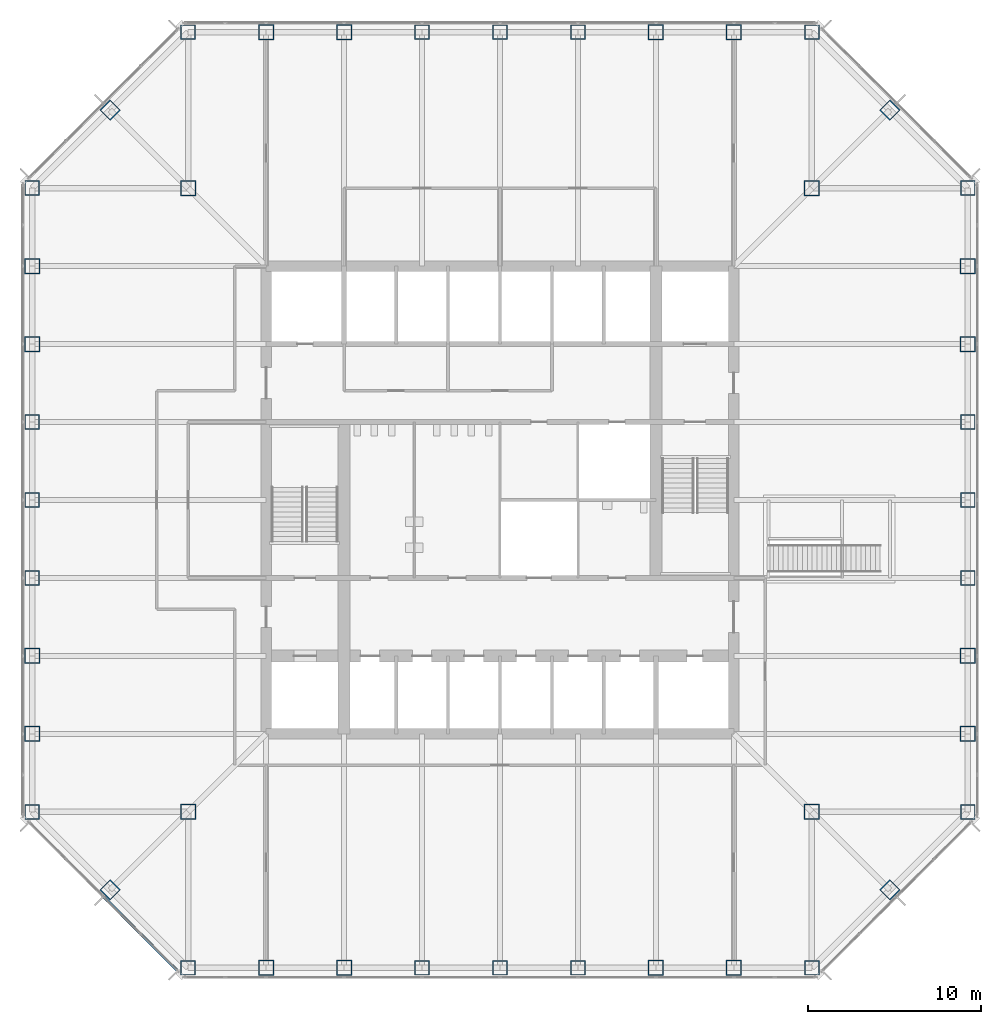
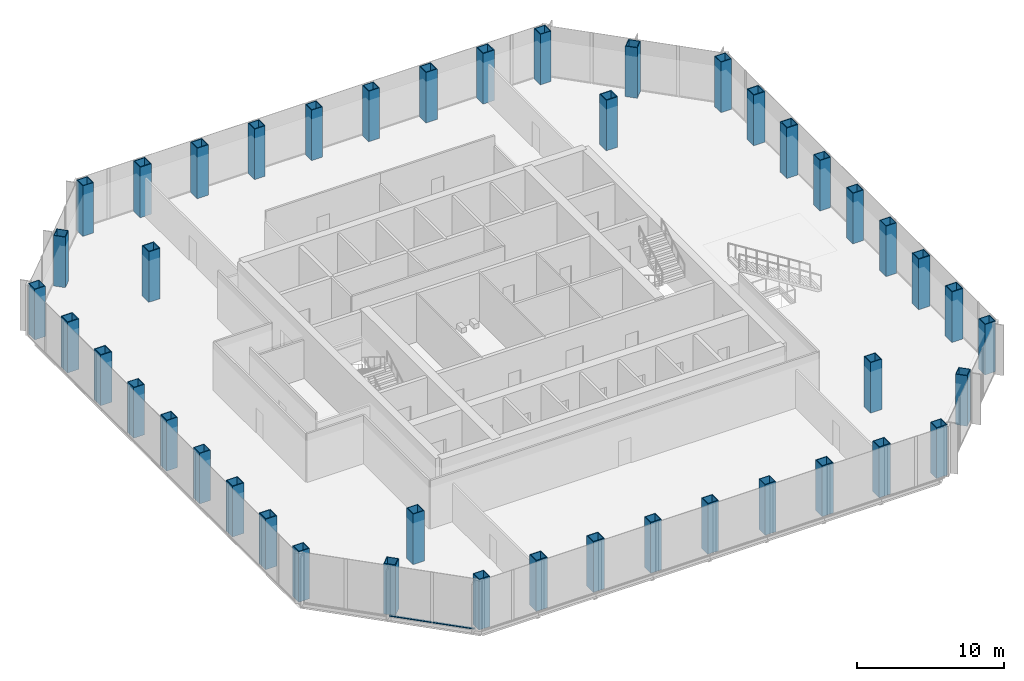
# One storey, part 1 of 12: 44 columns, 2 members, 1 element without a shape of its own.
"""IFC4 building model written with IfcOpenShell, lengths in metres."""

from ifc_helpers import new_model, si_unit, direction, frame, origin, origin_2d, place, context, subcontext, project, spatial, rectangle, hollow_rectangle, extrude, material, material_profile, profile_set, type_object, element, aggregate, save


model = new_model("IFC4")

# Units and contexts
model_context = context("Model", 3, precision=1e-05, world=origin(), true_north=direction((0.0, 1.0)))
body_context = subcontext(model_context, "Body", "Model", "MODEL_VIEW")
ifc_project = project(units=[si_unit("LENGTHUNIT", "METRE"), si_unit("AREAUNIT", "SQUARE_METRE"), si_unit("VOLUMEUNIT", "CUBIC_METRE"), si_unit("PLANEANGLEUNIT", "RADIAN"), si_unit("MASSUNIT", "GRAM", prefix="KILO")], contexts=[model_context])

# Site, building, storey
site_placement = place(None, origin())
site = spatial("IfcSite", under=ifc_project, at=site_placement, CompositionType="ELEMENT")
building_placement = place(site_placement, origin())
building = spatial("IfcBuilding", under=site, at=building_placement, Name="Corais Broadcast Tower", CompositionType="ELEMENT")
storey_placement = place(building_placement, frame((0.0, 0.0, 37.39990234375)))
storey = spatial("IfcBuildingStorey", under=building, at=storey_placement, Name="L07", CompositionType="ELEMENT", Elevation=37.39990234375)

# Columns
ifc_material_1 = material(Name="Steel ASTM A572 Grade 50", Category="steel")
ifc_material_profile_1 = material_profile(ifc_material_1, hollow_rectangle(XDim=0.85009765625, YDim=0.85009765625, WallThickness=0.050048828125, at=origin_2d()), Name="BOX 850x850x50")
ifc_profile_set_1 = profile_set([ifc_material_profile_1], Name="Steel ASTM A572 Grade 50")
column_type_1 = type_object("IfcColumnType", Name="Column BOX 850x850x50", PredefinedType="COLUMN", material=ifc_profile_set_1)
for number, where, z_axis, x_axis, name in (
    (1, (9.0, 0.0, 0.0), (0.0, 0.0, 1.0), (1.0, 0.0, 0.0), "C1 A/5"),
    (2, (22.5, 0.0, 0.0), (0.0, 0.0, 1.0), (1.0, 0.0, 0.0), "C1 A/8"),
    (3, (27.0, 0.0, 0.0), (0.0, 0.0, 1.0), (1.0, 0.0, 0.0), "C1 A/9"),
    (4, (31.5, 0.0, 0.0), (0.0, 0.0, 1.0), (1.0, 0.0, 0.0), "C1 A/10"),
    (5, (45.0, 0.0, 0.0), (0.0, 0.0, 1.0), (1.0, 0.0, 0.0), "C1 A/13"),
    (6, (54.0, 9.0, 0.0), (0.0, 0.0, 1.0), (1.0, 0.0, 0.0), "C1 C/15"),
    (7, (54.0, 22.5, 0.0), (0.0, 0.0, 1.0), (1.0, 0.0, 0.0), "C1 F/15"),
    (8, (54.0, 27.0, 0.0), (0.0, 0.0, 1.0), (1.0, 0.0, 0.0), "C1 G/15"),
    (9, (54.0, 31.5, 0.0), (0.0, 0.0, 1.0), (1.0, 0.0, 0.0), "C1 H/15"),
    (10, (54.0, 45.0, 0.0), (0.0, 0.0, 1.0), (1.0, 0.0, 0.0), "C1 L/15"),
    (11, (45.0, 54.0, 0.0), (0.0, 0.0, 1.0), (1.0, 0.0, 0.0), "C1 N/13"),
    (12, (31.5, 54.0, 0.0), (0.0, 0.0, 1.0), (1.0, 0.0, 0.0), "C1 N/10"),
    (13, (27.0, 54.0, 0.0), (0.0, 0.0, 1.0), (1.0, 0.0, 0.0), "C1 N/9"),
    (14, (22.5, 54.0, 0.0), (0.0, 0.0, 1.0), (1.0, 0.0, 0.0), "C1 N/8"),
    (15, (9.0, 54.0, 0.0), (0.0, 0.0, 1.0), (1.0, 0.0, 0.0), "C1 N/5"),
    (16, (0.0, 45.0, 0.0), (0.0, 0.0, 1.0), (1.0, 0.0, 0.0), "C1 L/3"),
    (17, (0.0, 31.5, 0.0), (0.0, 0.0, 1.0), (1.0, 0.0, 0.0), "C1 H/3"),
    (18, (0.0, 27.0, 0.0), (0.0, 0.0, 1.0), (1.0, 0.0, 0.0), "C1 G/3"),
    (19, (0.0, 22.5, 0.0), (0.0, 0.0, 1.0), (1.0, 0.0, 0.0), "C1 F/3"),
    (20, (0.0, 9.0, 0.0), (0.0, 0.0, 1.0), (1.0, 0.0, 0.0), "C1 C/3"),
    (21, (4.5, 4.5, 0.0), (0.0, 0.0, 1.0), (0.707106781187, 0.707106781187, 0.0), "C1 B/4"),
    (22, (49.5, 4.5, 0.0), (0.0, 0.0, 1.0), (0.707106781187, 0.707106781187, 0.0), "C1 B/14"),
    (23, (49.5, 49.5, 0.0), (0.0, 0.0, 1.0), (0.707106781187, 0.707106781187, 0.0), "C1 M/14"),
    (24, (4.5, 49.5, 0.0), (0.0, 0.0, 1.0), (0.707106781187, 0.707106781187, 0.0), "C1 M/4"),
):
    element("IfcColumn", number, at=place(storey_placement, frame(where, z_axis=z_axis, x_axis=x_axis)), inside=storey, type_object=column_type_1, Name=name, PredefinedType="COLUMN", context=body_context, shape_type="SweptSolid", body=[
        extrude(hollow_rectangle(XDim=0.85009765625, YDim=0.85009765625, WallThickness=0.050048828125, at=origin_2d()), origin(), (0.0, 0.0, 1.0), 4.2001953125),
    ])
ifc_material_2 = material(Name="Steel ASTM A572 Grade 50", Category="steel")
ifc_material_profile_2 = material_profile(ifc_material_2, hollow_rectangle(XDim=0.89990234375, YDim=0.89990234375, WallThickness=0.06298828125, at=origin_2d()), Name="BOX 900x900x63")
ifc_profile_set_2 = profile_set([ifc_material_profile_2], Name="Steel ASTM A572 Grade 50")
column_type_2 = type_object("IfcColumnType", Name="Column BOX 900x900x63", PredefinedType="COLUMN", material=ifc_profile_set_2)
for number, where, z_axis, x_axis, name in (
    (25, (13.5, 0.0, 0.0), (0.0, 0.0, 1.0), (1.0, 0.0, 0.0), "C2 A/6"),
    (26, (18.0, 0.0, 0.0), (0.0, 0.0, 1.0), (1.0, 0.0, 0.0), "C2 A/7"),
    (27, (36.0, 0.0, 0.0), (0.0, 0.0, 1.0), (1.0, 0.0, 0.0), "C2 A/11"),
    (28, (40.5, 0.0, 0.0), (0.0, 0.0, 1.0), (1.0, 0.0, 0.0), "C2 A/12"),
    (29, (54.0, 13.5, 0.0), (0.0, 0.0, 1.0), (1.0, 0.0, 0.0), "C2 D/15"),
    (30, (54.0, 18.0, 0.0), (0.0, 0.0, 1.0), (1.0, 0.0, 0.0), "C2 E/15"),
    (31, (54.0, 36.0, 0.0), (0.0, 0.0, 1.0), (1.0, 0.0, 0.0), "C2 J/15"),
    (32, (54.0, 40.5, 0.0), (0.0, 0.0, 1.0), (1.0, 0.0, 0.0), "C2 K/15"),
    (33, (40.5, 54.0, 0.0), (0.0, 0.0, 1.0), (1.0, 0.0, 0.0), "C2 N/12"),
    (34, (36.0, 54.0, 0.0), (0.0, 0.0, 1.0), (1.0, 0.0, 0.0), "C2 N/11"),
    (35, (18.0, 54.0, 0.0), (0.0, 0.0, 1.0), (1.0, 0.0, 0.0), "C2 N/7"),
    (36, (13.5, 54.0, 0.0), (0.0, 0.0, 1.0), (1.0, 0.0, 0.0), "C2 N/6"),
    (37, (0.0, 40.5, 0.0), (0.0, 0.0, 1.0), (1.0, 0.0, 0.0), "C2 K/3"),
    (38, (0.0, 36.0, 0.0), (0.0, 0.0, 1.0), (1.0, 0.0, 0.0), "C2 J/3"),
    (39, (0.0, 18.0, 0.0), (0.0, 0.0, 1.0), (1.0, 0.0, 0.0), "C2 E/3"),
    (40, (0.0, 13.5, 0.0), (0.0, 0.0, 1.0), (1.0, 0.0, 0.0), "C2 D/3"),
    (41, (9.0, 9.0, 0.0), (0.0, 0.0, 1.0), (1.0, 0.0, 0.0), "C2 C/5"),
    (42, (45.0, 9.0, 0.0), (0.0, 0.0, 1.0), (1.0, 0.0, 0.0), "C2 C/13"),
    (43, (45.0, 45.0, 0.0), (0.0, 0.0, 1.0), (1.0, 0.0, 0.0), "C2 L/13"),
    (44, (9.0, 45.0, 0.0), (0.0, 0.0, 1.0), (1.0, 0.0, 0.0), "C2 L/5"),
):
    element("IfcColumn", number, at=place(storey_placement, frame(where, z_axis=z_axis, x_axis=x_axis)), inside=storey, type_object=column_type_2, Name=name, PredefinedType="COLUMN", context=body_context, shape_type="SweptSolid", body=[
        extrude(hollow_rectangle(XDim=0.89990234375, YDim=0.89990234375, WallThickness=0.06298828125, at=origin_2d()), origin(), (0.0, 0.0, 1.0), 4.2001953125),
    ])

# Curtain wall, members
ifc_material_3 = material(Name="Aluminium and glass", Category="aluminium")
curtain_wall_type = type_object("IfcCurtainWallType", Name="Newsroom clear-glass curtain wall CW7", PredefinedType="NOTDEFINED", material=ifc_material_3)
curtain_wall_placement = place(storey_placement, origin())
curtain_wall = element("IfcCurtainWall", 45, at=curtain_wall_placement, inside=storey, type_object=curtain_wall_type, Name="CW7 curtain wall L07 1", PredefinedType="NOTDEFINED")
ifc_material_4 = material(Name="Aluminium 6063-T6", Category="aluminium")
ifc_material_profile_3 = material_profile(ifc_material_4, rectangle(XDim=0.14990234375, YDim=0.06494140625, at=origin_2d()), Name="Transom CW7 65x150")
ifc_profile_set_3 = profile_set([ifc_material_profile_3], Name="Aluminium 6063-T6")
member_type = type_object("IfcMemberType", Name="Transom CW7 65x150", PredefinedType="USERDEFINED", material=ifc_profile_set_3)
member_1_placement = place(storey_placement, frame((8.37255859375, -0.150390625, 0.03271484375), z_axis=(-0.707106781187, 0.707106781187, 0.0), x_axis=(-0.707106781187, -0.707106781187, 0.0)))
member_1 = element("IfcMember", 46, at=member_1_placement, type_object=member_type, Name="CW7 transom 1.1", ObjectType="TRANSOM", PredefinedType="USERDEFINED", context=body_context, shape_type="SweptSolid", body=[
    extrude(rectangle(XDim=0.14990234375, YDim=0.06494140625, at=origin_2d()), origin(), (0.0, 0.0, 1.0), 2.9482421875),
])
member_2_placement = place(storey_placement, frame((6.241943359375, 1.980224609375, 0.03271484375), z_axis=(-0.707106781187, 0.707106781187, 0.0), x_axis=(-0.707106781187, -0.707106781187, 0.0)))
member_2 = element("IfcMember", 47, at=member_2_placement, type_object=member_type, Name="CW7 transom 2.1", ObjectType="TRANSOM", PredefinedType="USERDEFINED", context=body_context, shape_type="SweptSolid", body=[
    extrude(rectangle(XDim=0.14990234375, YDim=0.06494140625, at=origin_2d()), origin(), (0.0, 0.0, 1.0), 2.98095703125),
])
aggregate(curtain_wall, [member_1, member_2])

save(model, "model.ifc")
